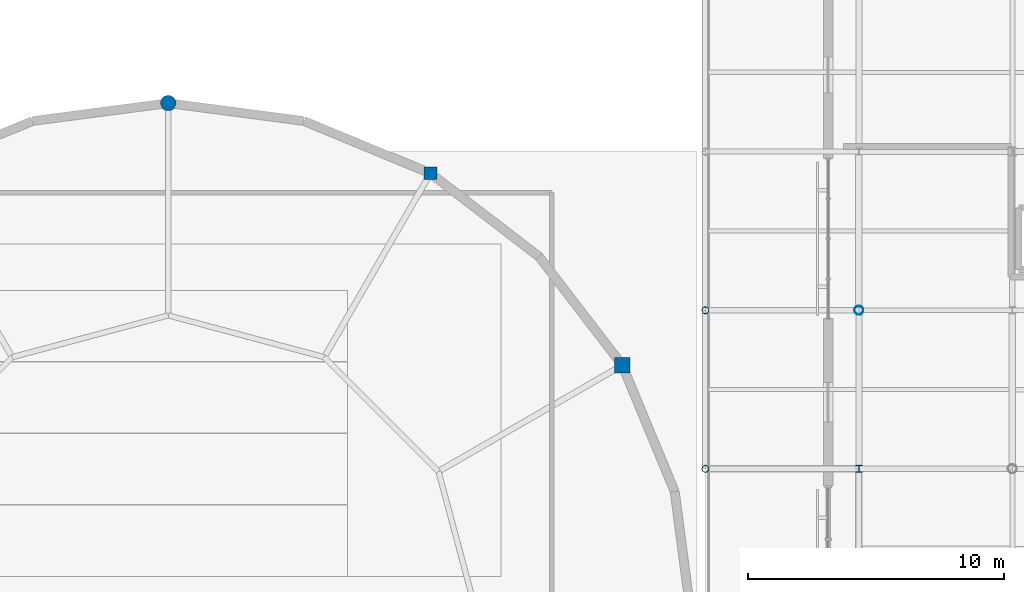
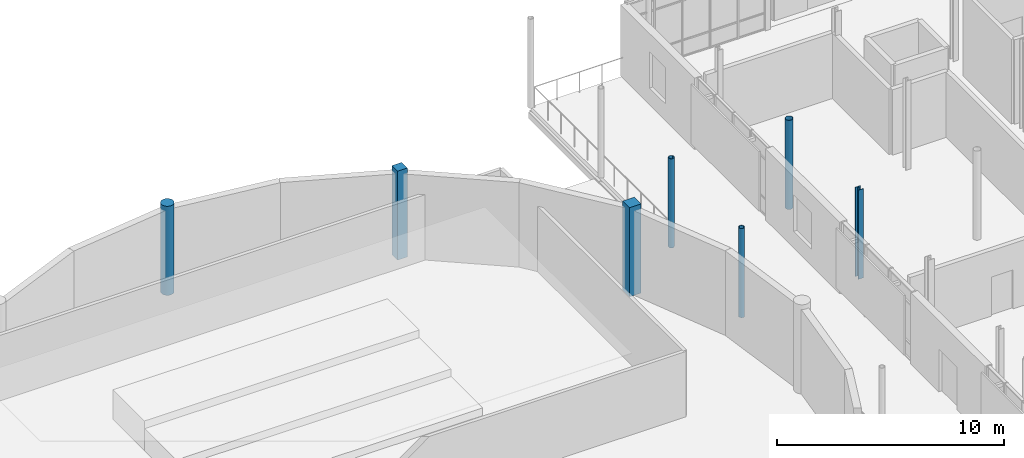
# One storey, part 8 of 84: 7 columns.
"""IFC4 building model written with IfcOpenShell, lengths in metres."""

from ifc_helpers import new_model, si_unit, direction, frame, origin, origin_2d, place, context, subcontext, project, spatial, rectangle, circle, hollow_circle, i_section, extrude, material, material_profile, profile_set, type_object, element, save


model = new_model("IFC4")

# Units and contexts
model_context = context("Model", 3, precision=1e-05, world=origin(), true_north=direction((0.0, 1.0)))
body_context = subcontext(model_context, "Body", "Model", "MODEL_VIEW")
ifc_project = project(units=[si_unit("LENGTHUNIT", "METRE"), si_unit("AREAUNIT", "SQUARE_METRE"), si_unit("VOLUMEUNIT", "CUBIC_METRE"), si_unit("PLANEANGLEUNIT", "RADIAN"), si_unit("MASSUNIT", "GRAM", prefix="KILO")], contexts=[model_context])

# Site, building, storey
site_placement = place(None, origin())
site = spatial("IfcSite", under=ifc_project, at=site_placement, CompositionType="ELEMENT")
building_placement = place(site_placement, origin())
building = spatial("IfcBuilding", under=site, at=building_placement, Name="Mirzam Square Science Centre", CompositionType="ELEMENT")
storey_placement = place(building_placement, frame((0.0, 0.0, 10.800048828125)))
storey = spatial("IfcBuildingStorey", under=building, at=storey_placement, Name="L02", CompositionType="ELEMENT", Elevation=10.800048828125)

# Columns
ifc_material_1 = material(Name="Steel S355", Category="steel")
ifc_material_profile_1 = material_profile(ifc_material_1, hollow_circle(Radius=0.136474609375, WallThickness=0.010009765625, at=origin_2d()), Name="273.0x10.0CHS")
ifc_profile_set_1 = profile_set([ifc_material_profile_1], Name="Steel S355")
column_type_1 = type_object("IfcColumnType", Name="COL-CHS273", PredefinedType="COLUMN", material=ifc_profile_set_1)
for number, where, z_axis, x_axis, name in (
    (1, (102.0, 68.199951171875, 0.0), (0.0, 0.0, 1.0), (1.0, 0.0, 0.0), "L02 column G18-12"),
    (2, (102.0, 74.39990234375, 0.0), (0.0, 0.0, 1.0), (1.0, 0.0, 0.0), "L02 column G18-13"),
):
    element("IfcColumn", number, at=place(storey_placement, frame(where, z_axis=z_axis, x_axis=x_axis)), inside=storey, type_object=column_type_1, Name=name, PredefinedType="COLUMN", context=body_context, shape_type="SweptSolid", body=[
        extrude(hollow_circle(Radius=0.136474609375, WallThickness=0.010009765625, at=origin_2d()), origin(), (0.0, 0.0, 1.0), 4.800048828125),
    ])
ifc_material_profile_2 = material_profile(ifc_material_1, hollow_circle(Radius=0.177734375, WallThickness=0.012451171875, at=origin_2d()), Name="355.6x12.5CHS")
ifc_profile_set_2 = profile_set([ifc_material_profile_2], Name="Steel S355")
column_type_2 = type_object("IfcColumnType", Name="COL-CHS355", PredefinedType="COLUMN", material=ifc_profile_set_2)
column_1_placement = place(storey_placement, frame((108.0, 74.39990234375, 0.0), z_axis=(0.0, 0.0, 1.0), x_axis=(1.0, 0.0, 0.0)))
element("IfcColumn", 3, at=column_1_placement, inside=storey, type_object=column_type_2, Name="L02 column G19-13", PredefinedType="COLUMN", context=body_context, shape_type="SweptSolid", body=[
    extrude(hollow_circle(Radius=0.177734375, WallThickness=0.012451171875, at=origin_2d()), origin(), (0.0, 0.0, 1.0), 4.800048828125),
])
ifc_material_profile_3 = material_profile(ifc_material_1, i_section(OverallWidth=0.26123046875, OverallDepth=0.2763671875, WebThickness=0.015380859375, FlangeThickness=0.025390625, FilletRadius=0.0126953125, at=origin_2d()), Name="254x254x132UC")
ifc_profile_set_3 = profile_set([ifc_material_profile_3], Name="Steel S355")
column_type_3 = type_object("IfcColumnType", Name="COL-UC254B", PredefinedType="COLUMN", material=ifc_profile_set_3)
column_2_placement = place(storey_placement, frame((108.0, 68.199951171875, 0.0), z_axis=(0.0, 0.0, 1.0), x_axis=(1.0, 0.0, 0.0)))
element("IfcColumn", 4, at=column_2_placement, inside=storey, type_object=column_type_3, Name="L02 column G19-12", PredefinedType="COLUMN", context=body_context, shape_type="SweptSolid", body=[
    extrude(i_section(OverallWidth=0.26123046875, OverallDepth=0.2763671875, WebThickness=0.015380859375, FlangeThickness=0.025390625, FilletRadius=0.0126953125, at=origin_2d()), origin(), (0.0, 0.0, 1.0), 4.800048828125),
])
ifc_material_2 = material(Name="Concrete C45/55", Category="concrete")
ifc_material_profile_4 = material_profile(ifc_material_2, rectangle(XDim=0.5, YDim=0.5, at=origin_2d()), Name="RC500x500")
ifc_profile_set_4 = profile_set([ifc_material_profile_4], Name="Concrete C45/55")
column_type_4 = type_object("IfcColumnType", Name="PIL-RC500", PredefinedType="PILASTER", material=ifc_profile_set_4)
column_3_placement = place(storey_placement, frame((91.25, 79.75341796875, 0.0), z_axis=(0.0, 0.0, 1.0), x_axis=(1.0, 0.0, 0.0)))
element("IfcColumn", 5, at=column_3_placement, inside=storey, type_object=column_type_4, Name="L02 drum pilaster 05", PredefinedType="PILASTER", context=body_context, shape_type="SweptSolid", body=[
    extrude(rectangle(XDim=0.5, YDim=0.5, at=origin_2d()), origin(), (0.0, 0.0, 1.0), 4.800048828125),
])
ifc_material_profile_5 = material_profile(ifc_material_2, rectangle(XDim=0.60009765625, YDim=0.60009765625, at=origin_2d()), Name="RC600x600")
ifc_profile_set_5 = profile_set([ifc_material_profile_5], Name="Concrete C45/55")
column_type_5 = type_object("IfcColumnType", Name="PIL-RC600", PredefinedType="PILASTER", material=ifc_profile_set_5)
column_4_placement = place(storey_placement, frame((98.75341796875, 72.25, 0.0), z_axis=(0.0, 0.0, 1.0), x_axis=(1.0, 0.0, 0.0)))
element("IfcColumn", 6, at=column_4_placement, inside=storey, type_object=column_type_5, Name="L02 drum pilaster 03", PredefinedType="PILASTER", context=body_context, shape_type="SweptSolid", body=[
    extrude(rectangle(XDim=0.60009765625, YDim=0.60009765625, at=origin_2d()), origin(), (0.0, 0.0, 1.0), 4.800048828125),
])
ifc_material_profile_6 = material_profile(ifc_material_2, circle(Radius=0.300048828125, at=origin_2d()), Name="RCD600")
ifc_profile_set_6 = profile_set([ifc_material_profile_6], Name="Concrete C45/55")
column_type_6 = type_object("IfcColumnType", Name="PIL-RCD600", PredefinedType="PILASTER", material=ifc_profile_set_6)
column_5_placement = place(storey_placement, frame((81.0, 82.5, 0.0), z_axis=(0.0, 0.0, 1.0), x_axis=(1.0, 0.0, 0.0)))
element("IfcColumn", 7, at=column_5_placement, inside=storey, type_object=column_type_6, Name="L02 drum pilaster 07", PredefinedType="PILASTER", context=body_context, shape_type="SweptSolid", body=[
    extrude(circle(Radius=0.300048828125, at=origin_2d()), origin(), (0.0, 0.0, 1.0), 4.800048828125),
])

save(model, "model.ifc")
